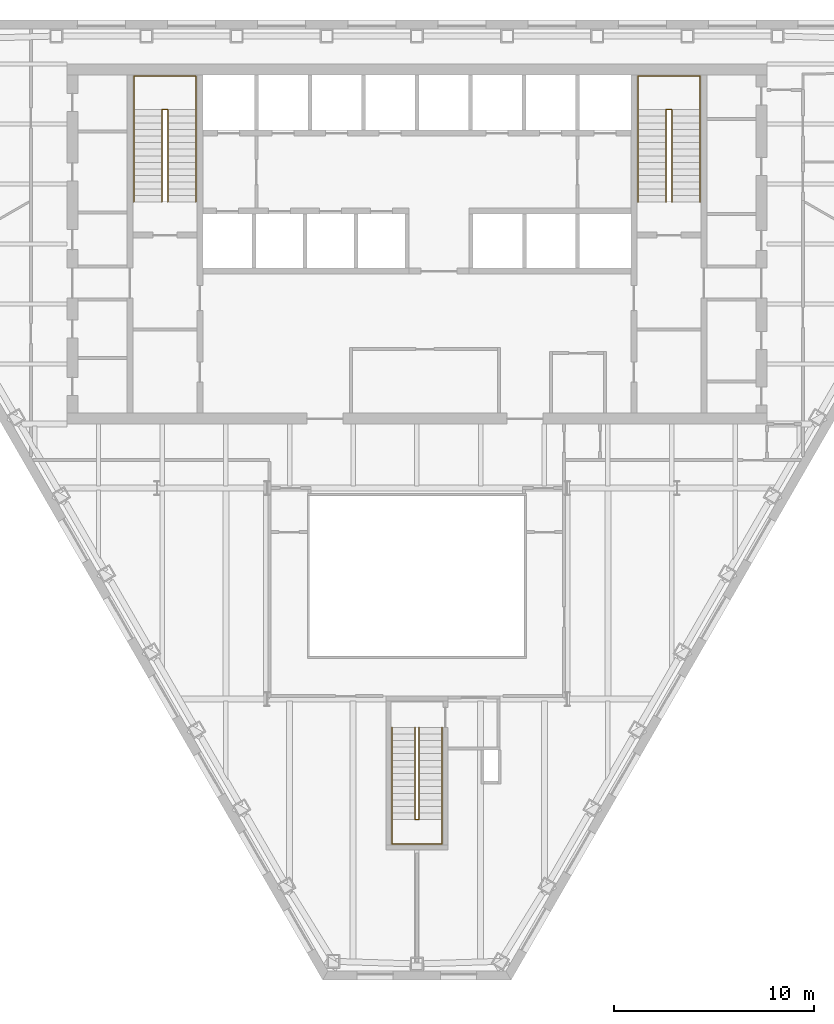
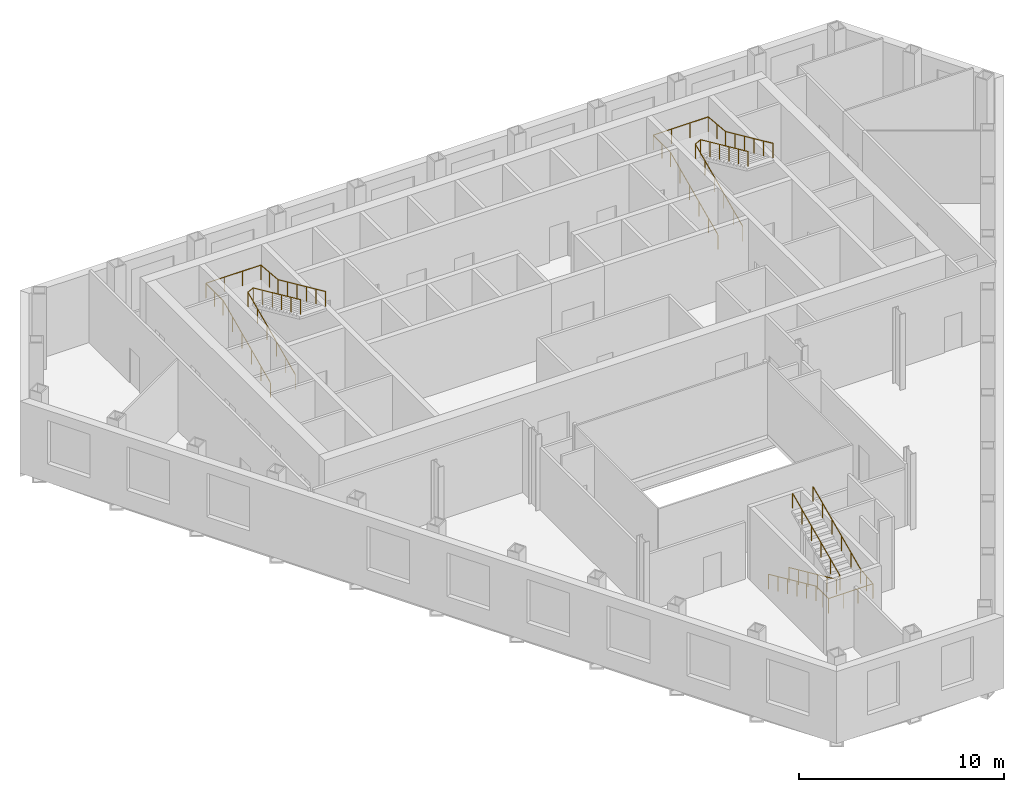
# One storey, part 11 of 11: 6 railings.
"""IFC4 building model written with IfcOpenShell, lengths in metres."""

from ifc_helpers import new_model, si_unit, direction, frame, origin, origin_2d, place, context, subcontext, project, spatial, circle, extrude, material, type_object, element, save


model = new_model("IFC4")

# Units and contexts
model_context = context("Model", 3, precision=1e-05, world=origin(), true_north=direction((0.0, 1.0)))
body_context = subcontext(model_context, "Body", "Model", "MODEL_VIEW")
ifc_project = project(units=[si_unit("LENGTHUNIT", "METRE"), si_unit("AREAUNIT", "SQUARE_METRE"), si_unit("VOLUMEUNIT", "CUBIC_METRE"), si_unit("PLANEANGLEUNIT", "RADIAN"), si_unit("MASSUNIT", "GRAM", prefix="KILO")], contexts=[model_context])

# Site, building, storey
site_placement = place(None, origin())
site = spatial("IfcSite", under=ifc_project, at=site_placement, CompositionType="ELEMENT")
building_placement = place(site_placement, origin())
building = spatial("IfcBuilding", under=site, at=building_placement, Name="Njiva Tower", CompositionType="ELEMENT")
storey_placement = place(building_placement, frame((0.0, 0.0, 124.8)))
storey = spatial("IfcBuildingStorey", under=building, at=storey_placement, Name="L26", CompositionType="ELEMENT", Elevation=124.8)

# Railings
ifc_material = material(Name="Stainless steel", Category="steel")
railing_type = type_object("IfcRailingType", Name="RL1 Stair handrail 900", PredefinedType="HANDRAIL", material=ifc_material)
railing_1_placement = place(storey_placement, frame((-14.15, 11.1, 0.15)))
element("IfcRailing", 1, at=railing_1_placement, inside=storey, type_object=railing_type, Name="Stair A handrail", PredefinedType="HANDRAIL", context=body_context, shape_type="SweptSolid", body=[
    extrude(circle(Radius=0.024, at=origin_2d()), frame((0.0, 0.0, 0.876), z_axis=(0.0, 0.910366477463, 0.413802944301), x_axis=(-1.0, 0.0, 0.0)), (0.0, 0.0, 1.0), 5.0749),
    extrude(circle(Radius=0.024, at=origin_2d()), frame((0.0, 4.62, 2.976), z_axis=(0.0, 1.0, 0.0), x_axis=(-1.0, 0.0, 0.0)), (0.0, 0.0, 1.0), 1.68),
    extrude(circle(Radius=0.024, at=origin_2d()), frame((0.0, 6.3, 2.976), z_axis=(1.0, 0.0, 0.0), x_axis=(0.0, 1.0, 0.0)), (0.0, 0.0, 1.0), 3.1),
    extrude(circle(Radius=0.024, at=origin_2d()), frame((3.1, 6.3, 2.976), z_axis=(0.0, -0.996037705314, 0.088931937975), x_axis=(1.0, 0.0, 0.0)), (0.0, 0.0, 1.0), 1.6867),
    extrude(circle(Radius=0.024, at=origin_2d()), frame((3.1, 4.62, 3.126), z_axis=(0.0, -0.910366477463, 0.413802944301), x_axis=(1.0, 0.0, 0.0)), (0.0, 0.0, 1.0), 5.0749),
    extrude(circle(Radius=0.021, at=origin_2d()), origin(), (0.0, 0.0, 1.0), 0.852),
    extrude(circle(Radius=0.021, at=origin_2d()), frame((0.0, 0.924, 0.42)), (0.0, 0.0, 1.0), 0.852),
    extrude(circle(Radius=0.021, at=origin_2d()), frame((0.0, 1.848, 0.84)), (0.0, 0.0, 1.0), 0.852),
    extrude(circle(Radius=0.021, at=origin_2d()), frame((0.0, 2.772, 1.26)), (0.0, 0.0, 1.0), 0.852),
    extrude(circle(Radius=0.021, at=origin_2d()), frame((0.0, 3.696, 1.68)), (0.0, 0.0, 1.0), 0.852),
    extrude(circle(Radius=0.021, at=origin_2d()), frame((0.0, 4.62, 2.1)), (0.0, 0.0, 1.0), 0.852),
    extrude(circle(Radius=0.021, at=origin_2d()), frame((0.0, 5.46, 2.1)), (0.0, 0.0, 1.0), 0.852),
    extrude(circle(Radius=0.021, at=origin_2d()), frame((0.0, 6.3, 2.1)), (0.0, 0.0, 1.0), 0.852),
    extrude(circle(Radius=0.021, at=origin_2d()), frame((1.0333, 6.3, 2.1)), (0.0, 0.0, 1.0), 0.852),
    extrude(circle(Radius=0.021, at=origin_2d()), frame((2.0667, 6.3, 2.1)), (0.0, 0.0, 1.0), 0.852),
    extrude(circle(Radius=0.021, at=origin_2d()), frame((3.1, 6.3, 2.1)), (0.0, 0.0, 1.0), 0.852),
    extrude(circle(Radius=0.021, at=origin_2d()), frame((3.1, 5.46, 2.175)), (0.0, 0.0, 1.0), 0.852),
    extrude(circle(Radius=0.021, at=origin_2d()), frame((3.1, 4.62, 2.25)), (0.0, 0.0, 1.0), 0.852),
    extrude(circle(Radius=0.021, at=origin_2d()), frame((3.1, 3.696, 2.67)), (0.0, 0.0, 1.0), 0.852),
    extrude(circle(Radius=0.021, at=origin_2d()), frame((3.1, 2.772, 3.09)), (0.0, 0.0, 1.0), 0.852),
    extrude(circle(Radius=0.021, at=origin_2d()), frame((3.1, 1.848, 3.51)), (0.0, 0.0, 1.0), 0.852),
    extrude(circle(Radius=0.021, at=origin_2d()), frame((3.1, 0.924, 3.93)), (0.0, 0.0, 1.0), 0.852),
    extrude(circle(Radius=0.021, at=origin_2d()), frame((3.1, 0.0, 4.35)), (0.0, 0.0, 1.0), 0.852),
])
railing_2_placement = place(storey_placement, frame((-12.75, 11.1, 0.15)))
element("IfcRailing", 2, at=railing_2_placement, inside=storey, type_object=railing_type, Name="Stair A handrail", PredefinedType="HANDRAIL", context=body_context, shape_type="SweptSolid", body=[
    extrude(circle(Radius=0.024, at=origin_2d()), frame((0.0, 0.0, 0.876), z_axis=(0.0, 0.910366477463, 0.413802944301), x_axis=(-1.0, 0.0, 0.0)), (0.0, 0.0, 1.0), 5.0749),
    extrude(circle(Radius=0.024, at=origin_2d()), frame((0.0, 4.62, 2.976), z_axis=(0.894427191, 0.0, 0.4472135955), x_axis=(0.0, 1.0, 0.0)), (0.0, 0.0, 1.0), 0.3354),
    extrude(circle(Radius=0.024, at=origin_2d()), frame((0.3, 4.62, 3.126), z_axis=(0.0, -0.910366477463, 0.413802944301), x_axis=(1.0, 0.0, 0.0)), (0.0, 0.0, 1.0), 5.0749),
    extrude(circle(Radius=0.021, at=origin_2d()), origin(), (0.0, 0.0, 1.0), 0.852),
    extrude(circle(Radius=0.021, at=origin_2d()), frame((0.0, 0.924, 0.42)), (0.0, 0.0, 1.0), 0.852),
    extrude(circle(Radius=0.021, at=origin_2d()), frame((0.0, 1.848, 0.84)), (0.0, 0.0, 1.0), 0.852),
    extrude(circle(Radius=0.021, at=origin_2d()), frame((0.0, 2.772, 1.26)), (0.0, 0.0, 1.0), 0.852),
    extrude(circle(Radius=0.021, at=origin_2d()), frame((0.0, 3.696, 1.68)), (0.0, 0.0, 1.0), 0.852),
    extrude(circle(Radius=0.021, at=origin_2d()), frame((0.0, 4.62, 2.1)), (0.0, 0.0, 1.0), 0.852),
    extrude(circle(Radius=0.021, at=origin_2d()), frame((0.3, 4.62, 2.25)), (0.0, 0.0, 1.0), 0.852),
    extrude(circle(Radius=0.021, at=origin_2d()), frame((0.3, 3.696, 2.67)), (0.0, 0.0, 1.0), 0.852),
    extrude(circle(Radius=0.021, at=origin_2d()), frame((0.3, 2.772, 3.09)), (0.0, 0.0, 1.0), 0.852),
    extrude(circle(Radius=0.021, at=origin_2d()), frame((0.3, 1.848, 3.51)), (0.0, 0.0, 1.0), 0.852),
    extrude(circle(Radius=0.021, at=origin_2d()), frame((0.3, 0.924, 3.93)), (0.0, 0.0, 1.0), 0.852),
    extrude(circle(Radius=0.021, at=origin_2d()), frame((0.3, 0.0, 4.35)), (0.0, 0.0, 1.0), 0.852),
])
railing_3_placement = place(storey_placement, frame((11.05, 11.1, 0.15)))
element("IfcRailing", 3, at=railing_3_placement, inside=storey, type_object=railing_type, Name="Stair B handrail", PredefinedType="HANDRAIL", context=body_context, shape_type="SweptSolid", body=[
    extrude(circle(Radius=0.024, at=origin_2d()), frame((0.0, 0.0, 0.876), z_axis=(0.0, 0.910366477463, 0.413802944301), x_axis=(-1.0, 0.0, 0.0)), (0.0, 0.0, 1.0), 5.0749),
    extrude(circle(Radius=0.024, at=origin_2d()), frame((0.0, 4.62, 2.976), z_axis=(0.0, 1.0, 0.0), x_axis=(-1.0, 0.0, 0.0)), (0.0, 0.0, 1.0), 1.68),
    extrude(circle(Radius=0.024, at=origin_2d()), frame((0.0, 6.3, 2.976), z_axis=(1.0, 0.0, 0.0), x_axis=(0.0, 1.0, 0.0)), (0.0, 0.0, 1.0), 3.1),
    extrude(circle(Radius=0.024, at=origin_2d()), frame((3.1, 6.3, 2.976), z_axis=(0.0, -0.996037705314, 0.088931937975), x_axis=(1.0, 0.0, 0.0)), (0.0, 0.0, 1.0), 1.6867),
    extrude(circle(Radius=0.024, at=origin_2d()), frame((3.1, 4.62, 3.126), z_axis=(0.0, -0.910366477463, 0.413802944301), x_axis=(1.0, 0.0, 0.0)), (0.0, 0.0, 1.0), 5.0749),
    extrude(circle(Radius=0.021, at=origin_2d()), origin(), (0.0, 0.0, 1.0), 0.852),
    extrude(circle(Radius=0.021, at=origin_2d()), frame((0.0, 0.924, 0.42)), (0.0, 0.0, 1.0), 0.852),
    extrude(circle(Radius=0.021, at=origin_2d()), frame((0.0, 1.848, 0.84)), (0.0, 0.0, 1.0), 0.852),
    extrude(circle(Radius=0.021, at=origin_2d()), frame((0.0, 2.772, 1.26)), (0.0, 0.0, 1.0), 0.852),
    extrude(circle(Radius=0.021, at=origin_2d()), frame((0.0, 3.696, 1.68)), (0.0, 0.0, 1.0), 0.852),
    extrude(circle(Radius=0.021, at=origin_2d()), frame((0.0, 4.62, 2.1)), (0.0, 0.0, 1.0), 0.852),
    extrude(circle(Radius=0.021, at=origin_2d()), frame((0.0, 5.46, 2.1)), (0.0, 0.0, 1.0), 0.852),
    extrude(circle(Radius=0.021, at=origin_2d()), frame((0.0, 6.3, 2.1)), (0.0, 0.0, 1.0), 0.852),
    extrude(circle(Radius=0.021, at=origin_2d()), frame((1.0333, 6.3, 2.1)), (0.0, 0.0, 1.0), 0.852),
    extrude(circle(Radius=0.021, at=origin_2d()), frame((2.0667, 6.3, 2.1)), (0.0, 0.0, 1.0), 0.852),
    extrude(circle(Radius=0.021, at=origin_2d()), frame((3.1, 6.3, 2.1)), (0.0, 0.0, 1.0), 0.852),
    extrude(circle(Radius=0.021, at=origin_2d()), frame((3.1, 5.46, 2.175)), (0.0, 0.0, 1.0), 0.852),
    extrude(circle(Radius=0.021, at=origin_2d()), frame((3.1, 4.62, 2.25)), (0.0, 0.0, 1.0), 0.852),
    extrude(circle(Radius=0.021, at=origin_2d()), frame((3.1, 3.696, 2.67)), (0.0, 0.0, 1.0), 0.852),
    extrude(circle(Radius=0.021, at=origin_2d()), frame((3.1, 2.772, 3.09)), (0.0, 0.0, 1.0), 0.852),
    extrude(circle(Radius=0.021, at=origin_2d()), frame((3.1, 1.848, 3.51)), (0.0, 0.0, 1.0), 0.852),
    extrude(circle(Radius=0.021, at=origin_2d()), frame((3.1, 0.924, 3.93)), (0.0, 0.0, 1.0), 0.852),
    extrude(circle(Radius=0.021, at=origin_2d()), frame((3.1, 0.0, 4.35)), (0.0, 0.0, 1.0), 0.852),
])
railing_4_placement = place(storey_placement, frame((12.45, 11.1, 0.15)))
element("IfcRailing", 4, at=railing_4_placement, inside=storey, type_object=railing_type, Name="Stair B handrail", PredefinedType="HANDRAIL", context=body_context, shape_type="SweptSolid", body=[
    extrude(circle(Radius=0.024, at=origin_2d()), frame((0.0, 0.0, 0.876), z_axis=(0.0, 0.910366477463, 0.413802944301), x_axis=(-1.0, 0.0, 0.0)), (0.0, 0.0, 1.0), 5.0749),
    extrude(circle(Radius=0.024, at=origin_2d()), frame((0.0, 4.62, 2.976), z_axis=(0.894427191, 0.0, 0.4472135955), x_axis=(0.0, 1.0, 0.0)), (0.0, 0.0, 1.0), 0.3354),
    extrude(circle(Radius=0.024, at=origin_2d()), frame((0.3, 4.62, 3.126), z_axis=(0.0, -0.910366477463, 0.413802944301), x_axis=(1.0, 0.0, 0.0)), (0.0, 0.0, 1.0), 5.0749),
    extrude(circle(Radius=0.021, at=origin_2d()), origin(), (0.0, 0.0, 1.0), 0.852),
    extrude(circle(Radius=0.021, at=origin_2d()), frame((0.0, 0.924, 0.42)), (0.0, 0.0, 1.0), 0.852),
    extrude(circle(Radius=0.021, at=origin_2d()), frame((0.0, 1.848, 0.84)), (0.0, 0.0, 1.0), 0.852),
    extrude(circle(Radius=0.021, at=origin_2d()), frame((0.0, 2.772, 1.26)), (0.0, 0.0, 1.0), 0.852),
    extrude(circle(Radius=0.021, at=origin_2d()), frame((0.0, 3.696, 1.68)), (0.0, 0.0, 1.0), 0.852),
    extrude(circle(Radius=0.021, at=origin_2d()), frame((0.0, 4.62, 2.1)), (0.0, 0.0, 1.0), 0.852),
    extrude(circle(Radius=0.021, at=origin_2d()), frame((0.3, 4.62, 2.25)), (0.0, 0.0, 1.0), 0.852),
    extrude(circle(Radius=0.021, at=origin_2d()), frame((0.3, 3.696, 2.67)), (0.0, 0.0, 1.0), 0.852),
    extrude(circle(Radius=0.021, at=origin_2d()), frame((0.3, 2.772, 3.09)), (0.0, 0.0, 1.0), 0.852),
    extrude(circle(Radius=0.021, at=origin_2d()), frame((0.3, 1.848, 3.51)), (0.0, 0.0, 1.0), 0.852),
    extrude(circle(Radius=0.021, at=origin_2d()), frame((0.3, 0.924, 3.93)), (0.0, 0.0, 1.0), 0.852),
    extrude(circle(Radius=0.021, at=origin_2d()), frame((0.3, 0.0, 4.35)), (0.0, 0.0, 1.0), 0.852),
])
railing_5_placement = place(storey_placement, frame((-1.25, -15.16, 0.15)))
element("IfcRailing", 5, at=railing_5_placement, inside=storey, type_object=railing_type, Name="Stair C handrail", PredefinedType="HANDRAIL", context=body_context, shape_type="SweptSolid", body=[
    extrude(circle(Radius=0.024, at=origin_2d()), frame((0.0, 0.0, 0.876), z_axis=(0.0, -0.910366477463, 0.413802944301), x_axis=(1.0, 0.0, 0.0)), (0.0, 0.0, 1.0), 5.0749),
    extrude(circle(Radius=0.024, at=origin_2d()), frame((0.0, -4.62, 2.976), z_axis=(0.0, -1.0, 0.0), x_axis=(1.0, 0.0, 0.0)), (0.0, 0.0, 1.0), 1.22),
    extrude(circle(Radius=0.024, at=origin_2d()), frame((0.0, -5.84, 2.976), z_axis=(1.0, 0.0, 0.0), x_axis=(0.0, 1.0, 0.0)), (0.0, 0.0, 1.0), 2.5),
    extrude(circle(Radius=0.024, at=origin_2d()), frame((2.5, -5.84, 2.976), z_axis=(0.0, 0.992526177815, 0.122031907108), x_axis=(-1.0, 0.0, 0.0)), (0.0, 0.0, 1.0), 1.2292),
    extrude(circle(Radius=0.024, at=origin_2d()), frame((2.5, -4.62, 3.126), z_axis=(0.0, 0.910366477463, 0.413802944301), x_axis=(-1.0, 0.0, 0.0)), (0.0, 0.0, 1.0), 5.0749),
    extrude(circle(Radius=0.021, at=origin_2d()), origin(), (0.0, 0.0, 1.0), 0.852),
    extrude(circle(Radius=0.021, at=origin_2d()), frame((0.0, -0.924, 0.42)), (0.0, 0.0, 1.0), 0.852),
    extrude(circle(Radius=0.021, at=origin_2d()), frame((0.0, -1.848, 0.84)), (0.0, 0.0, 1.0), 0.852),
    extrude(circle(Radius=0.021, at=origin_2d()), frame((0.0, -2.772, 1.26)), (0.0, 0.0, 1.0), 0.852),
    extrude(circle(Radius=0.021, at=origin_2d()), frame((0.0, -3.696, 1.68)), (0.0, 0.0, 1.0), 0.852),
    extrude(circle(Radius=0.021, at=origin_2d()), frame((0.0, -4.62, 2.1)), (0.0, 0.0, 1.0), 0.852),
    extrude(circle(Radius=0.021, at=origin_2d()), frame((0.0, -5.23, 2.1)), (0.0, 0.0, 1.0), 0.852),
    extrude(circle(Radius=0.021, at=origin_2d()), frame((0.0, -5.84, 2.1)), (0.0, 0.0, 1.0), 0.852),
    extrude(circle(Radius=0.021, at=origin_2d()), frame((0.8333, -5.84, 2.1)), (0.0, 0.0, 1.0), 0.852),
    extrude(circle(Radius=0.021, at=origin_2d()), frame((1.6667, -5.84, 2.1)), (0.0, 0.0, 1.0), 0.852),
    extrude(circle(Radius=0.021, at=origin_2d()), frame((2.5, -5.84, 2.1)), (0.0, 0.0, 1.0), 0.852),
    extrude(circle(Radius=0.021, at=origin_2d()), frame((2.5, -5.23, 2.175)), (0.0, 0.0, 1.0), 0.852),
    extrude(circle(Radius=0.021, at=origin_2d()), frame((2.5, -4.62, 2.25)), (0.0, 0.0, 1.0), 0.852),
    extrude(circle(Radius=0.021, at=origin_2d()), frame((2.5, -3.696, 2.67)), (0.0, 0.0, 1.0), 0.852),
    extrude(circle(Radius=0.021, at=origin_2d()), frame((2.5, -2.772, 3.09)), (0.0, 0.0, 1.0), 0.852),
    extrude(circle(Radius=0.021, at=origin_2d()), frame((2.5, -1.848, 3.51)), (0.0, 0.0, 1.0), 0.852),
    extrude(circle(Radius=0.021, at=origin_2d()), frame((2.5, -0.924, 3.93)), (0.0, 0.0, 1.0), 0.852),
    extrude(circle(Radius=0.021, at=origin_2d()), frame((2.5, 0.0, 4.35)), (0.0, 0.0, 1.0), 0.852),
])
railing_6_placement = place(storey_placement, frame((-0.1, -15.16, 0.15)))
element("IfcRailing", 6, at=railing_6_placement, inside=storey, type_object=railing_type, Name="Stair C handrail", PredefinedType="HANDRAIL", context=body_context, shape_type="SweptSolid", body=[
    extrude(circle(Radius=0.024, at=origin_2d()), frame((0.0, 0.0, 0.876), z_axis=(0.0, -0.910366477463, 0.413802944301), x_axis=(1.0, 0.0, 0.0)), (0.0, 0.0, 1.0), 5.0749),
    extrude(circle(Radius=0.024, at=origin_2d()), frame((0.0, -4.62, 2.976), z_axis=(0.8, 0.0, 0.6), x_axis=(0.0, 1.0, 0.0)), (0.0, 0.0, 1.0), 0.25),
    extrude(circle(Radius=0.024, at=origin_2d()), frame((0.2, -4.62, 3.126), z_axis=(0.0, 0.910366477463, 0.413802944301), x_axis=(-1.0, 0.0, 0.0)), (0.0, 0.0, 1.0), 5.0749),
    extrude(circle(Radius=0.021, at=origin_2d()), origin(), (0.0, 0.0, 1.0), 0.852),
    extrude(circle(Radius=0.021, at=origin_2d()), frame((0.0, -0.924, 0.42)), (0.0, 0.0, 1.0), 0.852),
    extrude(circle(Radius=0.021, at=origin_2d()), frame((0.0, -1.848, 0.84)), (0.0, 0.0, 1.0), 0.852),
    extrude(circle(Radius=0.021, at=origin_2d()), frame((0.0, -2.772, 1.26)), (0.0, 0.0, 1.0), 0.852),
    extrude(circle(Radius=0.021, at=origin_2d()), frame((0.0, -3.696, 1.68)), (0.0, 0.0, 1.0), 0.852),
    extrude(circle(Radius=0.021, at=origin_2d()), frame((0.0, -4.62, 2.1)), (0.0, 0.0, 1.0), 0.852),
    extrude(circle(Radius=0.021, at=origin_2d()), frame((0.2, -4.62, 2.25)), (0.0, 0.0, 1.0), 0.852),
    extrude(circle(Radius=0.021, at=origin_2d()), frame((0.2, -3.696, 2.67)), (0.0, 0.0, 1.0), 0.852),
    extrude(circle(Radius=0.021, at=origin_2d()), frame((0.2, -2.772, 3.09)), (0.0, 0.0, 1.0), 0.852),
    extrude(circle(Radius=0.021, at=origin_2d()), frame((0.2, -1.848, 3.51)), (0.0, 0.0, 1.0), 0.852),
    extrude(circle(Radius=0.021, at=origin_2d()), frame((0.2, -0.924, 3.93)), (0.0, 0.0, 1.0), 0.852),
    extrude(circle(Radius=0.021, at=origin_2d()), frame((0.2, 0.0, 4.35)), (0.0, 0.0, 1.0), 0.852),
])

save(model, "model.ifc")
